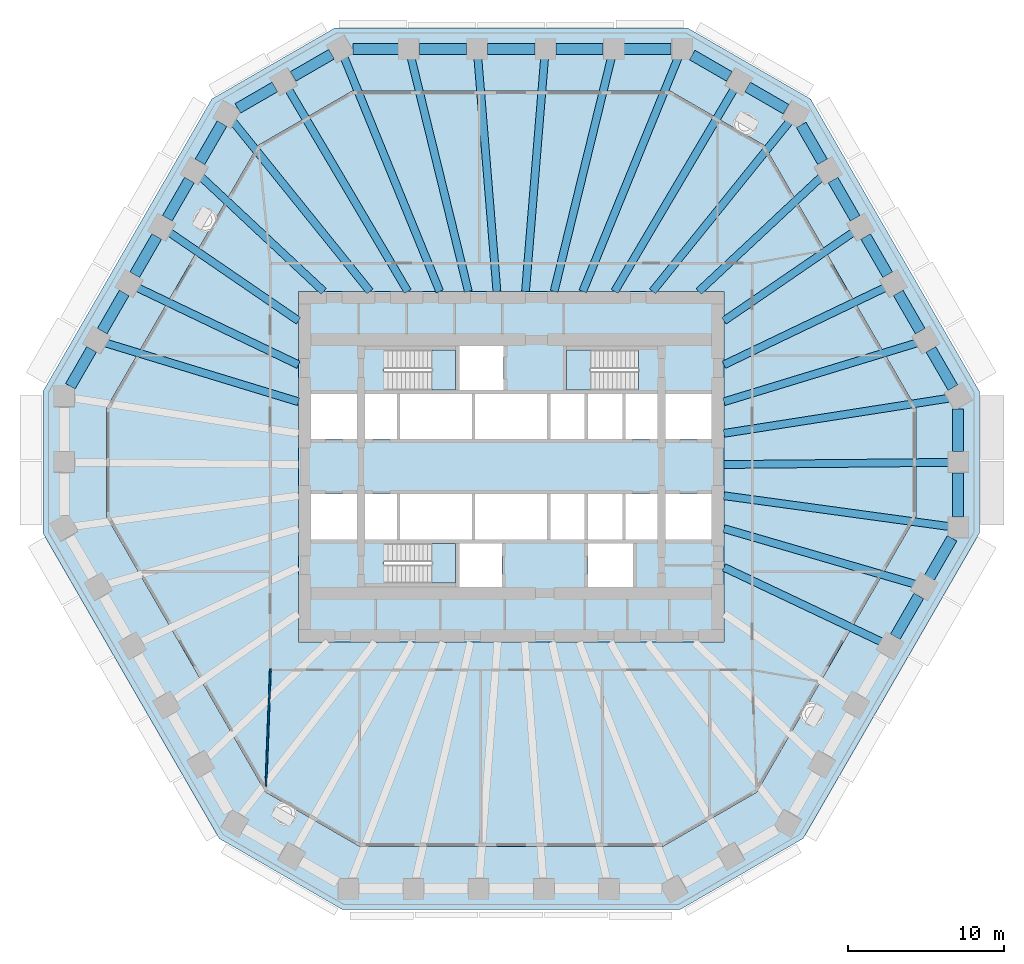
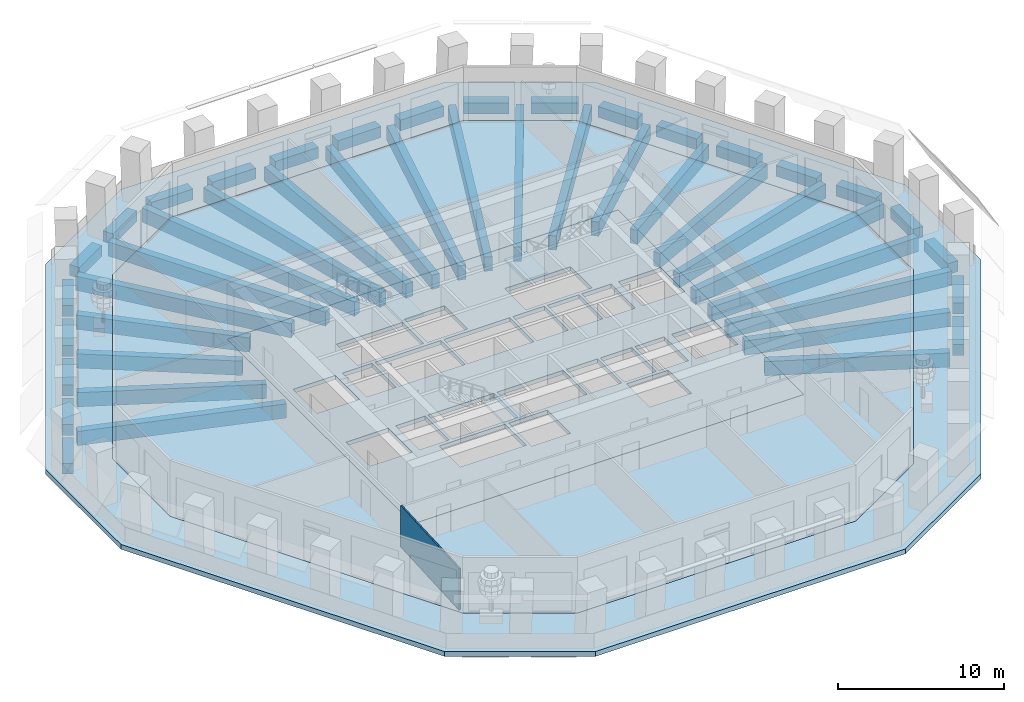
# One storey, part 2 of 12: 46 beams, 6 slabs, 1 wall, 3 elements without a shape of their own.
"""IFC4 building model written with IfcOpenShell, lengths in metres."""

import ifcopenshell
import ifcopenshell.guid

model = None  # the IFC model being written
_history = None  # IfcOwnerHistory: only IFC2X3 demands one
_inside = {}  # id of a spatial element -> (the spatial element, [elements in it])
_under = {}  # id of a project, library or spatial element -> (it, [spatial elements below it])
_declared = {}  # id of a project -> (the project, [libraries it declares])
_typed = {}  # id of a type object -> (the type object, [elements of that type])
_made_of = {}  # id of a material, layer set ... -> (it, [elements and type objects made of it])


def new_model(schema):
    """Start an empty IFC model of exactly this schema.

    Asked for "IFC4X3", IfcOpenShell would pick the latest addendum, in which some entities
    have other attributes; the version numbers below select the first issue.
    IFC2X3 requires an IfcOwnerHistory on every rooted entity: one is made here for all.
    """
    global model, _history
    if schema == "IFC4X3":
        model = ifcopenshell.file(schema_version=(4, 3, 0, 0))
    else:
        model = ifcopenshell.file(schema=schema)
    _inside.clear()
    _under.clear()
    _declared.clear()
    _typed.clear()
    _made_of.clear()
    _history = None
    if model.schema == "IFC2X3":
        org = make("IfcOrganization", Name="unknown")
        user = make(
            "IfcPersonAndOrganization",
            ThePerson=make("IfcPerson", FamilyName="unknown"),
            TheOrganization=org,
        )
        app = make(
            "IfcApplication",
            ApplicationDeveloper=org,
            Version="unknown",
            ApplicationFullName="unknown",
            ApplicationIdentifier="unknown",
        )
        _history = make(
            "IfcOwnerHistory",
            OwningUser=user,
            OwningApplication=app,
            ChangeAction="ADDED",
            CreationDate=0,
        )
    return model


def make(cls, **values):
    """One entity of the class cls with the attributes given. An attribute that is None is left unset."""
    return model.create_entity(
        cls, **{name: value for name, value in values.items() if value is not None}
    )


def rooted(cls, **values):
    """An entity with a GlobalId (a new one), such as an element, a storey or a relation."""
    return make(cls, GlobalId=ifcopenshell.guid.new(), OwnerHistory=_history, **values)


def si_unit(unit_type, name, prefix=None):
    """IfcSIUnit, for example si_unit("LENGTHUNIT", "METRE", prefix="MILLI")."""
    return make("IfcSIUnit", UnitType=unit_type, Prefix=prefix, Name=name)


def assignment(units):
    """IfcUnitAssignment: the units of a project."""
    return None if units is None else make("IfcUnitAssignment", Units=units)


def point(xyz):
    """IfcCartesianPoint."""
    return None if xyz is None else make("IfcCartesianPoint", Coordinates=xyz)


def direction(xyz):
    """IfcDirection."""
    return None if xyz is None else make("IfcDirection", DirectionRatios=xyz)


def frame(location, z_axis=None, x_axis=None):
    """IfcAxis2Placement3D, a coordinate frame: its origin and axes. An axis left out is left unset."""
    return make(
        "IfcAxis2Placement3D",
        Location=point(location),
        Axis=direction(z_axis),
        RefDirection=direction(x_axis),
    )


def frame_2d(location, x_axis=None):
    """IfcAxis2Placement2D, a coordinate frame in the plane: its origin and x axis."""
    return make(
        "IfcAxis2Placement2D", Location=point(location), RefDirection=direction(x_axis)
    )


def origin():
    """The frame at (0, 0, 0) with its axes left unset."""
    return frame((0.0, 0.0, 0.0))


def origin_2d():
    """The frame at (0, 0) in the plane with its x axis left unset."""
    return frame_2d((0.0, 0.0))


def place(relative_to, where):
    """IfcLocalPlacement: puts the frame where relative to a parent placement (None: the world)."""
    return make(
        "IfcLocalPlacement", PlacementRelTo=relative_to, RelativePlacement=where
    )


def context(
    kind, dimensions, precision=None, world=None, true_north=None, identifier=None
):
    """IfcGeometricRepresentationContext, for example the 3D "Model" context."""
    return make(
        "IfcGeometricRepresentationContext",
        ContextIdentifier=identifier,
        ContextType=kind,
        CoordinateSpaceDimension=dimensions,
        Precision=precision,
        WorldCoordinateSystem=world,
        TrueNorth=true_north,
    )


def subcontext(parent, identifier, kind, view, scale=None):
    """IfcGeometricRepresentationSubContext, for example "Body" below "Model"."""
    return make(
        "IfcGeometricRepresentationSubContext",
        ContextIdentifier=identifier,
        ContextType=kind,
        ParentContext=parent,
        TargetScale=scale,
        TargetView=view,
    )


def project(units=None, contexts=None):
    """IfcProject with its units and contexts."""
    return rooted(
        "IfcProject",
        Name="project",
        RepresentationContexts=contexts,
        UnitsInContext=assignment(units),
    )


def spatial(cls, under=None, at=None, **own):
    """A site, building, storey or space (cls), placed at a placement, below another one or the project."""
    s = rooted(cls, ObjectPlacement=at, **own)
    if under is not None:
        _under.setdefault(under.id(), (under, []))[1].append(s)
    return s


def polyline(points):
    """IfcPolyline through the points."""
    return make("IfcPolyline", Points=[point(p) for p in points])


def profile(cls, at=None, kind="AREA", **sizes):
    """A parametric profile (cls). Its sizes go by their IFC names, for example OverallWidth=200.0."""
    return make(cls, ProfileType=kind, Position=at, **sizes)


def rectangle(**sizes):
    """IfcRectangleProfileDef."""
    return profile("IfcRectangleProfileDef", **sizes)


def outline(outer, holes=None, kind="AREA"):
    """IfcArbitraryClosedProfileDef: a profile drawn as a closed curve; with holes, ...WithVoids."""
    if holes is None:
        return make("IfcArbitraryClosedProfileDef", ProfileType=kind, OuterCurve=outer)
    return make(
        "IfcArbitraryProfileDefWithVoids",
        ProfileType=kind,
        OuterCurve=outer,
        InnerCurves=holes,
    )


def extrude(swept, where, along, depth):
    """IfcExtrudedAreaSolid: the profile swept, set in the frame where, extruded along a direction by depth."""
    return make(
        "IfcExtrudedAreaSolid",
        SweptArea=swept,
        Position=where,
        ExtrudedDirection=direction(along),
        Depth=depth,
    )


def shape(context_of_items, identifier, shape_type, items):
    """IfcShapeRepresentation: the items that make up one representation, for example the "Body"."""
    return make(
        "IfcShapeRepresentation",
        ContextOfItems=context_of_items,
        RepresentationIdentifier=identifier,
        RepresentationType=shape_type,
        Items=items,
    )


def material(Name=None, Category=None):
    """IfcMaterial."""
    return make("IfcMaterial", Name=Name, Category=Category)


def layer(
    of_material, thickness, ventilated=None, Name=None, Category=None, Priority=None
):
    """IfcMaterialLayer: one layer of a wall or slab, of a material (None: an air gap)."""
    return make(
        "IfcMaterialLayer",
        Material=of_material,
        LayerThickness=thickness,
        IsVentilated=ventilated,
        Name=Name,
        Category=Category,
        Priority=Priority,
    )


def layer_set(layers, Name=None):
    """IfcMaterialLayerSet."""
    return make("IfcMaterialLayerSet", MaterialLayers=layers, LayerSetName=Name)


def material_profile(
    of_material, cross_section, Name=None, Category=None, Priority=None
):
    """IfcMaterialProfile: a cross section and its material."""
    return make(
        "IfcMaterialProfile",
        Name=Name,
        Material=of_material,
        Profile=cross_section,
        Priority=Priority,
        Category=Category,
    )


def profile_set(profiles, Name=None, composite=None):
    """IfcMaterialProfileSet."""
    return make(
        "IfcMaterialProfileSet",
        Name=Name,
        MaterialProfiles=profiles,
        CompositeProfile=composite,
    )


def made_of(thing, what):
    """Note that an element or type object is made of a material, layer set ...; save() writes the relation."""
    if what is not None:
        _made_of.setdefault(what.id(), (what, []))[1].append(thing)
    return thing


def type_object(cls, material=None, **own):
    """A type object (cls), such as IfcWallType, which elements share."""
    return made_of(rooted(cls, **own), material)


def element(
    cls,
    number,
    at=None,
    inside=None,
    cuts=None,
    type_object=None,
    material=None,
    context=None,
    identifier="Body",
    shape_type=None,
    held_by="IfcProductDefinitionShape",
    body=None,
    shapes=None,
    **own,
):
    """One element of the class cls, such as IfcWall. Its Tag is "e" and its number.

    at: its placement. inside: the storey or other place that contains it. cuts: it is an
    opening in that element (IfcRelVoidsElement). A single representation is given by context,
    identifier, shape_type and body (its items); several are given by shapes. held_by: the class
    of the entity that holds the representations. save() writes the other relations.
    """
    e = rooted(cls, Tag="e%d" % number, ObjectPlacement=at, **own)
    if body is not None:
        shapes = [shape(context, identifier, shape_type, body)]
    if shapes is not None:
        e.Representation = make(held_by, Representations=shapes)
    if inside is not None:
        _inside.setdefault(inside.id(), (inside, []))[1].append(e)
    if cuts is not None:
        rooted(
            "IfcRelVoidsElement", RelatingBuildingElement=cuts, RelatedOpeningElement=e
        )
    if type_object is not None:
        _typed.setdefault(type_object.id(), (type_object, []))[1].append(e)
    return made_of(e, material)


def aggregate(whole, parts):
    """IfcRelAggregates: a whole, such as a stair, and the parts it consists of."""
    return rooted("IfcRelAggregates", RelatingObject=whole, RelatedObjects=parts)


def save(model, path):
    """Write the relations noted so far, then the file.

    IfcRelAggregates (storeys below a building ...), IfcRelContainedInSpatialStructure (elements
    in a storey), IfcRelDefinesByType, IfcRelAssociatesMaterial and IfcRelDeclares: one each for
    every whole, place, type object, material and project.
    """
    for whole, parts in _under.values():
        aggregate(whole, parts)
    for where, things in _inside.values():
        rooted(
            "IfcRelContainedInSpatialStructure",
            RelatedElements=things,
            RelatingStructure=where,
        )
    for kind, things in _typed.values():
        rooted("IfcRelDefinesByType", RelatedObjects=things, RelatingType=kind)
    for what, things in _made_of.values():
        rooted("IfcRelAssociatesMaterial", RelatedObjects=things, RelatingMaterial=what)
    for by, libraries in _declared.values():
        rooted("IfcRelDeclares", RelatingContext=by, RelatedDefinitions=libraries)
    model.write(path)


model = new_model("IFC4")

# Units and contexts
model_context = context("Model", 3, precision=1e-05, world=origin(), true_north=direction((0.0, 1.0)))
body_context = subcontext(model_context, "Body", "Model", "MODEL_VIEW")
ifc_project = project(units=[si_unit("LENGTHUNIT", "METRE"), si_unit("AREAUNIT", "SQUARE_METRE"), si_unit("VOLUMEUNIT", "CUBIC_METRE"), si_unit("PLANEANGLEUNIT", "RADIAN"), si_unit("MASSUNIT", "GRAM", prefix="KILO")], contexts=[model_context])

# Site, building, storey
site_placement = place(None, origin())
site = spatial("IfcSite", under=ifc_project, at=site_placement, CompositionType="ELEMENT")
building_placement = place(site_placement, origin())
building = spatial("IfcBuilding", under=site, at=building_placement, Name="Frailejon Research Tower", CompositionType="ELEMENT")
storey_placement = place(building_placement, frame((0.0, 0.0, 89.60009765625)))
storey = spatial("IfcBuildingStorey", under=building, at=storey_placement, Name="L19", CompositionType="ELEMENT", Elevation=89.60009765625)

# Beams
ifc_material_1 = material(Name="Concrete C60/75", Category="concrete")
ifc_material_profile_1 = material_profile(ifc_material_1, rectangle(XDim=0.5, YDim=1.050048828125, at=origin_2d()), Name="Girder 500x1050")
ifc_profile_set_1 = profile_set([ifc_material_profile_1], Name="Concrete C60/75")
beam_type_1 = type_object("IfcBeamType", Name="Girder 500x1050", PredefinedType="BEAM", material=ifc_profile_set_1)
beam_1_placement = place(storey_placement, frame((28.046142578125, -3.8388671875, -0.8251953125), z_axis=(-0.990762286084, 0.135610075121, 0.0), x_axis=(-0.135610075121, -0.990762286084, 0.0)))
element("IfcBeam", 1, at=beam_1_placement, inside=storey, type_object=beam_type_1, Name="Girder 500x1050", PredefinedType="BEAM", context=body_context, shape_type="SweptSolid", body=[
    extrude(rectangle(XDim=0.5, YDim=1.050048828125, at=origin_2d()), origin(), (0.0, 0.0, 1.0), 14.580810546875),
])
beam_2_placement = place(storey_placement, frame((28.047607421875, 0.271484375, -0.8251953125), z_axis=(-0.999953124834, -0.009682362075, 0.0), x_axis=(0.009682362075, -0.999953124834, 0.0)))
element("IfcBeam", 2, at=beam_2_placement, inside=storey, type_object=beam_type_1, Name="Girder 500x1050", PredefinedType="BEAM", context=body_context, shape_type="SweptSolid", body=[
    extrude(rectangle(XDim=0.5, YDim=1.050048828125, at=origin_2d()), origin(), (0.0, 0.0, 1.0), 14.4482421875),
])
beam_3_placement = place(storey_placement, frame((28.005859375, 4.37548828125, -0.8251953125), z_axis=(-0.988013789524, -0.154365642911, 0.0), x_axis=(0.154365642911, -0.988013789524, 0.0)))
element("IfcBeam", 3, at=beam_3_placement, inside=storey, type_object=beam_type_1, Name="Girder 500x1050", PredefinedType="BEAM", context=body_context, shape_type="SweptSolid", body=[
    extrude(rectangle(XDim=0.5, YDim=1.050048828125, at=origin_2d()), origin(), (0.0, 0.0, 1.0), 14.58056640625),
])
beam_4_placement = place(storey_placement, frame((25.968994140625, 7.91552734375, -0.8251953125), z_axis=(-0.956548487284, -0.291573303775, 0.0), x_axis=(0.291573303775, -0.956548487284, 0.0)))
element("IfcBeam", 4, at=beam_4_placement, inside=storey, type_object=beam_type_1, Name="Girder 500x1050", PredefinedType="BEAM", context=body_context, shape_type="SweptSolid", body=[
    extrude(rectangle(XDim=0.5, YDim=1.050048828125, at=origin_2d()), origin(), (0.0, 0.0, 1.0), 12.9306640625),
])
beam_5_placement = place(storey_placement, frame((23.92919921875, 11.455810546875, -0.8251953125), z_axis=(-0.90197036, -0.431797950067, 0.0), x_axis=(0.431797950067, -0.90197036, 0.0)))
element("IfcBeam", 5, at=beam_5_placement, inside=storey, type_object=beam_type_1, Name="Girder 500x1050", PredefinedType="BEAM", context=body_context, shape_type="SweptSolid", body=[
    extrude(rectangle(XDim=0.5, YDim=1.050048828125, at=origin_2d()), origin(), (0.0, 0.0, 1.0), 11.45166015625),
])
beam_6_placement = place(storey_placement, frame((21.885498046875, 14.9951171875, -0.8251953125), z_axis=(-0.824933841565, -0.565229295987, 0.0), x_axis=(0.565229295987, -0.824933841565, 0.0)))
element("IfcBeam", 6, at=beam_6_placement, inside=storey, type_object=beam_type_1, Name="Girder 500x1050", PredefinedType="BEAM", context=body_context, shape_type="SweptSolid", body=[
    extrude(rectangle(XDim=0.5, YDim=1.050048828125, at=origin_2d()), origin(), (0.0, 0.0, 1.0), 10.043701171875),
])
beam_7_placement = place(storey_placement, frame((19.839599609375, 18.5322265625, -0.8251953125), z_axis=(-0.730777818746, -0.682615396566, 0.0), x_axis=(0.682615396566, -0.730777818746, 0.0)))
element("IfcBeam", 7, at=beam_7_placement, inside=storey, type_object=beam_type_1, Name="Girder 500x1050", PredefinedType="BEAM", context=body_context, shape_type="SweptSolid", body=[
    extrude(rectangle(XDim=0.5, YDim=1.050048828125, at=origin_2d()), origin(), (0.0, 0.0, 1.0), 10.741455078125),
])
beam_8_placement = place(storey_placement, frame((17.817626953125, 22.097412109375, -0.8251953125), z_axis=(-0.627691430438, -0.778462245812, 0.0), x_axis=(0.778462245812, -0.627691430438, 0.0)))
element("IfcBeam", 8, at=beam_8_placement, inside=storey, type_object=beam_type_1, Name="Girder 500x1050", PredefinedType="BEAM", context=body_context, shape_type="SweptSolid", body=[
    extrude(rectangle(XDim=0.5, YDim=1.050048828125, at=origin_2d()), origin(), (0.0, 0.0, 1.0), 13.998779296875),
])
beam_9_placement = place(storey_placement, frame((14.2587890625, 24.154052734375, -0.8251953125), z_axis=(-0.508348695563, -0.861151324518, 0.0), x_axis=(0.861151324518, -0.508348695563, 0.0)))
element("IfcBeam", 9, at=beam_9_placement, inside=storey, type_object=beam_type_1, Name="Girder 500x1050", PredefinedType="BEAM", context=body_context, shape_type="SweptSolid", body=[
    extrude(rectangle(XDim=0.5, YDim=1.050048828125, at=origin_2d()), origin(), (0.0, 0.0, 1.0), 15.042724609375),
])
beam_10_placement = place(storey_placement, frame((10.680419921875, 26.163818359375, -0.8251953125), z_axis=(-0.377933991837, -0.925832543073, 0.0), x_axis=(0.925832543073, -0.377933991837, 0.0)))
element("IfcBeam", 10, at=beam_10_placement, inside=storey, type_object=beam_type_1, Name="Girder 500x1050", PredefinedType="BEAM", context=body_context, shape_type="SweptSolid", body=[
    extrude(rectangle(XDim=0.5, YDim=1.050048828125, at=origin_2d()), origin(), (0.0, 0.0, 1.0), 16.16259765625),
])
beam_11_placement = place(storey_placement, frame((6.409912109375, 26.170654296875, -0.8251953125), z_axis=(-0.237896481436, -0.97129051479, 0.0), x_axis=(0.97129051479, -0.237896481436, 0.0)))
element("IfcBeam", 11, at=beam_11_placement, inside=storey, type_object=beam_type_1, Name="Girder 500x1050", PredefinedType="BEAM", context=body_context, shape_type="SweptSolid", body=[
    extrude(rectangle(XDim=0.5, YDim=1.050048828125, at=origin_2d()), origin(), (0.0, 0.0, 1.0), 15.413330078125),
])
for number, where, z_axis, x_axis, name in (
    (12, (2.136962890625, 26.174560546875, -0.8251953125), (-0.081377822013, -0.996683324875, 0.0), (0.996683324875, -0.081377822013, 0.0), "Girder 500x1050"),
    (13, (-2.136962890625, 26.174560546875, -0.8251953125), (0.081377822013, -0.996683324875, 0.0), (0.996683324875, 0.081377822013, 0.0), "Girder 500x1050"),
):
    element("IfcBeam", number, at=place(storey_placement, frame(where, z_axis=z_axis, x_axis=x_axis)), inside=storey, type_object=beam_type_1, Name=name, PredefinedType="BEAM", context=body_context, shape_type="SweptSolid", body=[
        extrude(rectangle(XDim=0.5, YDim=1.050048828125, at=origin_2d()), origin(), (0.0, 0.0, 1.0), 15.0244140625),
    ])
beam_12_placement = place(storey_placement, frame((-6.409912109375, 26.170654296875, -0.8251953125), z_axis=(0.237896481436, -0.97129051479, 0.0), x_axis=(0.97129051479, 0.237896481436, 0.0)))
element("IfcBeam", 14, at=beam_12_placement, inside=storey, type_object=beam_type_1, Name="Girder 500x1050", PredefinedType="BEAM", context=body_context, shape_type="SweptSolid", body=[
    extrude(rectangle(XDim=0.5, YDim=1.050048828125, at=origin_2d()), origin(), (0.0, 0.0, 1.0), 15.413330078125),
])
beam_13_placement = place(storey_placement, frame((-10.698486328125, 26.2080078125, -0.8251953125), z_axis=(0.377935463681, -0.925831942251, 0.0), x_axis=(0.925831942251, 0.377935463681, 0.0)))
element("IfcBeam", 15, at=beam_13_placement, inside=storey, type_object=beam_type_1, Name="Girder 500x1050", PredefinedType="BEAM", context=body_context, shape_type="SweptSolid", body=[
    extrude(rectangle(XDim=0.5, YDim=1.050048828125, at=origin_2d()), origin(), (0.0, 0.0, 1.0), 16.21044921875),
])
beam_14_placement = place(storey_placement, frame((-14.2587890625, 24.154052734375, -0.8251953125), z_axis=(0.508348695563, -0.861151324518, 0.0), x_axis=(0.861151324518, 0.508348695563, 0.0)))
element("IfcBeam", 16, at=beam_14_placement, inside=storey, type_object=beam_type_1, Name="Girder 500x1050", PredefinedType="BEAM", context=body_context, shape_type="SweptSolid", body=[
    extrude(rectangle(XDim=0.5, YDim=1.050048828125, at=origin_2d()), origin(), (0.0, 0.0, 1.0), 15.042724609375),
])
beam_15_placement = place(storey_placement, frame((-17.792236328125, 22.06591796875, -0.8251953125), z_axis=(0.627691595476, -0.778462112738, 0.0), x_axis=(0.778462112738, 0.627691595476, 0.0)))
element("IfcBeam", 17, at=beam_15_placement, inside=storey, type_object=beam_type_1, Name="Girder 500x1050", PredefinedType="BEAM", context=body_context, shape_type="SweptSolid", body=[
    extrude(rectangle(XDim=0.5, YDim=1.050048828125, at=origin_2d()), origin(), (0.0, 0.0, 1.0), 13.958251953125),
])
beam_16_placement = place(storey_placement, frame((-19.839599609375, 18.5322265625, -0.8251953125), z_axis=(0.730777818746, -0.682615396566, 0.0), x_axis=(0.682615396566, 0.730777818746, 0.0)))
element("IfcBeam", 18, at=beam_16_placement, inside=storey, type_object=beam_type_1, Name="Girder 500x1050", PredefinedType="BEAM", context=body_context, shape_type="SweptSolid", body=[
    extrude(rectangle(XDim=0.5, YDim=1.050048828125, at=origin_2d()), origin(), (0.0, 0.0, 1.0), 10.741455078125),
])
beam_17_placement = place(storey_placement, frame((-21.885498046875, 14.9951171875, -0.8251953125), z_axis=(0.824933841565, -0.565229295987, 0.0), x_axis=(0.565229295987, 0.824933841565, 0.0)))
element("IfcBeam", 19, at=beam_17_placement, inside=storey, type_object=beam_type_1, Name="Girder 500x1050", PredefinedType="BEAM", context=body_context, shape_type="SweptSolid", body=[
    extrude(rectangle(XDim=0.5, YDim=1.050048828125, at=origin_2d()), origin(), (0.0, 0.0, 1.0), 10.043701171875),
])
beam_18_placement = place(storey_placement, frame((-23.92919921875, 11.455810546875, -0.8251953125), z_axis=(0.90197036, -0.431797950067, 0.0), x_axis=(0.431797950067, 0.90197036, 0.0)))
element("IfcBeam", 20, at=beam_18_placement, inside=storey, type_object=beam_type_1, Name="Girder 500x1050", PredefinedType="BEAM", context=body_context, shape_type="SweptSolid", body=[
    extrude(rectangle(XDim=0.5, YDim=1.050048828125, at=origin_2d()), origin(), (0.0, 0.0, 1.0), 11.45166015625),
])
beam_19_placement = place(storey_placement, frame((-25.968994140625, 7.91552734375, -0.8251953125), z_axis=(0.956548487284, -0.291573303775, 0.0), x_axis=(0.291573303775, 0.956548487284, 0.0)))
element("IfcBeam", 21, at=beam_19_placement, inside=storey, type_object=beam_type_1, Name="Girder 500x1050", PredefinedType="BEAM", context=body_context, shape_type="SweptSolid", body=[
    extrude(rectangle(XDim=0.5, YDim=1.050048828125, at=origin_2d()), origin(), (0.0, 0.0, 1.0), 12.9306640625),
])
beam_20_placement = place(storey_placement, frame((23.736328125, -11.236572265625, -0.8251953125), z_axis=(-0.903842425603, 0.427865480823, 0.0), x_axis=(-0.427865480823, -0.903842425603, 0.0)))
element("IfcBeam", 22, at=beam_20_placement, inside=storey, type_object=beam_type_1, Name="Girder 500x1050", PredefinedType="BEAM", context=body_context, shape_type="SweptSolid", body=[
    extrude(rectangle(XDim=0.5, YDim=1.050048828125, at=origin_2d()), origin(), (0.0, 0.0, 1.0), 11.214599609375),
])
beam_21_placement = place(storey_placement, frame((25.869384765625, -7.5341796875, -0.8251953125), z_axis=(-0.960111404203, 0.279617759664, 0.0), x_axis=(-0.279617759664, -0.960111404203, 0.0)))
element("IfcBeam", 23, at=beam_21_placement, inside=storey, type_object=beam_type_1, Name="Girder 500x1050", PredefinedType="BEAM", context=body_context, shape_type="SweptSolid", body=[
    extrude(rectangle(XDim=0.5, YDim=1.050048828125, at=origin_2d()), origin(), (0.0, 0.0, 1.0), 12.779052734375),
])
ifc_material_2 = material(Name="Concrete C60/75", Category="concrete")
ifc_material_profile_2 = material_profile(ifc_material_2, rectangle(XDim=0.699951171875, YDim=0.800048828125, at=origin_2d()), Name="Spandrel 700x800")
ifc_profile_set_2 = profile_set([ifc_material_profile_2], Name="Concrete C60/75")
beam_type_2 = type_object("IfcBeamType", Name="Spandrel 700x800", PredefinedType="BEAM", material=ifc_profile_set_2)
beam_22_placement = place(storey_placement, frame((28.572509765625, -3.236083984375, -0.75), z_axis=(0.0, 1.0, 0.0), x_axis=(-1.0, 0.0, 0.0)))
element("IfcBeam", 24, at=beam_22_placement, inside=storey, type_object=beam_type_2, Name="Spandrel 700x800", PredefinedType="BEAM", context=body_context, shape_type="SweptSolid", body=[
    extrude(rectangle(XDim=0.699951171875, YDim=0.800048828125, at=origin_2d()), origin(), (0.0, 0.0, 1.0), 2.837646484375),
])
beam_23_placement = place(storey_placement, frame((28.572509765625, 0.95166015625, -0.75), z_axis=(0.0, 1.0, 0.0), x_axis=(-1.0, 0.0, 0.0)))
element("IfcBeam", 25, at=beam_23_placement, inside=storey, type_object=beam_type_2, Name="Spandrel 700x800", PredefinedType="BEAM", context=body_context, shape_type="SweptSolid", body=[
    extrude(rectangle(XDim=0.699951171875, YDim=0.800048828125, at=origin_2d()), origin(), (0.0, 0.0, 1.0), 2.733154296875),
])
beam_24_placement = place(storey_placement, frame((28.235107421875, 5.048583984375, -0.75), z_axis=(-0.500014901547, 0.866016800201, 0.0), x_axis=(-0.866016800201, -0.500014901547, 0.0)))
element("IfcBeam", 26, at=beam_24_placement, inside=storey, type_object=beam_type_2, Name="Spandrel 700x800", PredefinedType="BEAM", context=body_context, shape_type="SweptSolid", body=[
    extrude(rectangle(XDim=0.699951171875, YDim=0.800048828125, at=origin_2d()), origin(), (0.0, 0.0, 1.0), 2.818359375),
])
for number, where, z_axis, x_axis, name in (
    (27, (26.15087890625, 8.658447265625, -0.75), (-0.499987440211, 0.86603265506, 0.0), (-0.86603265506, -0.499987440211, 0.0), "Spandrel 700x800"),
    (28, (24.06689453125, 12.26806640625, -0.75), (-0.499987440211, 0.86603265506, 0.0), (-0.86603265506, -0.499987440211, 0.0), "Spandrel 700x800"),
):
    element("IfcBeam", number, at=place(storey_placement, frame(where, z_axis=z_axis, x_axis=x_axis)), inside=storey, type_object=beam_type_2, Name=name, PredefinedType="BEAM", context=body_context, shape_type="SweptSolid", body=[
        extrude(rectangle(XDim=0.699951171875, YDim=0.800048828125, at=origin_2d()), origin(), (0.0, 0.0, 1.0), 2.81787109375),
    ])
beam_25_placement = place(storey_placement, frame((21.98291015625, 15.877685546875, -0.75), z_axis=(-0.500052415518, 0.865995139556, 0.0), x_axis=(-0.865995139556, -0.500052415518, 0.0)))
element("IfcBeam", 29, at=beam_25_placement, inside=storey, type_object=beam_type_2, Name="Spandrel 700x800", PredefinedType="BEAM", context=body_context, shape_type="SweptSolid", body=[
    extrude(rectangle(XDim=0.699951171875, YDim=0.800048828125, at=origin_2d()), origin(), (0.0, 0.0, 1.0), 2.818115234375),
])
beam_26_placement = place(storey_placement, frame((19.898681640625, 19.4873046875, -0.75), z_axis=(-0.499961288406, 0.86604775278, 0.0), x_axis=(-0.86604775278, -0.499961288406, 0.0)))
element("IfcBeam", 30, at=beam_26_placement, inside=storey, type_object=beam_type_2, Name="Spandrel 700x800", PredefinedType="BEAM", context=body_context, shape_type="SweptSolid", body=[
    extrude(rectangle(XDim=0.699951171875, YDim=0.800048828125, at=origin_2d()), origin(), (0.0, 0.0, 1.0), 2.713623046875),
])
beam_27_placement = place(storey_placement, frame((17.567626953125, 22.849853515625, -0.75), z_axis=(-0.865989280058, 0.500062562911, 0.0), x_axis=(-0.500062562911, -0.865989280058, 0.0)))
element("IfcBeam", 31, at=beam_27_placement, inside=storey, type_object=beam_type_2, Name="Spandrel 700x800", PredefinedType="BEAM", context=body_context, shape_type="SweptSolid", body=[
    extrude(rectangle(XDim=0.699951171875, YDim=0.800048828125, at=origin_2d()), origin(), (0.0, 0.0, 1.0), 2.837646484375),
])
beam_28_placement = place(storey_placement, frame((13.941162109375, 24.943603515625, -0.75), z_axis=(-0.866002615699, 0.500039468044, 0.0), x_axis=(-0.500039468044, -0.866002615699, 0.0)))
element("IfcBeam", 32, at=beam_28_placement, inside=storey, type_object=beam_type_2, Name="Spandrel 700x800", PredefinedType="BEAM", context=body_context, shape_type="SweptSolid", body=[
    extrude(rectangle(XDim=0.699951171875, YDim=0.800048828125, at=origin_2d()), origin(), (0.0, 0.0, 1.0), 2.733154296875),
])
beam_29_placement = place(storey_placement, frame((10.22412109375, 26.699951171875, -0.75), z_axis=(-1.0, 0.0, 0.0), x_axis=(0.0, -1.0, 0.0)))
element("IfcBeam", 33, at=beam_29_placement, inside=storey, type_object=beam_type_2, Name="Spandrel 700x800", PredefinedType="BEAM", context=body_context, shape_type="SweptSolid", body=[
    extrude(rectangle(XDim=0.699951171875, YDim=0.800048828125, at=origin_2d()), origin(), (0.0, 0.0, 1.0), 3.009521484375),
])
for number, where, z_axis, x_axis, name in (
    (34, (5.864501953125, 26.699951171875, -0.75), (-1.0, 0.0, 0.0), (0.0, -1.0, 0.0), "Spandrel 700x800"),
    (35, (1.5048828125, 26.699951171875, -0.75), (-1.0, 0.0, 0.0), (0.0, -1.0, 0.0), "Spandrel 700x800"),
    (36, (-2.854736328125, 26.699951171875, -0.75), (-1.0, 0.0, 0.0), (0.0, -1.0, 0.0), "Spandrel 700x800"),
):
    element("IfcBeam", number, at=place(storey_placement, frame(where, z_axis=z_axis, x_axis=x_axis)), inside=storey, type_object=beam_type_2, Name=name, PredefinedType="BEAM", context=body_context, shape_type="SweptSolid", body=[
        extrude(rectangle(XDim=0.699951171875, YDim=0.800048828125, at=origin_2d()), origin(), (0.0, 0.0, 1.0), 3.009765625),
    ])
beam_30_placement = place(storey_placement, frame((-7.214599609375, 26.699951171875, -0.75), z_axis=(-1.0, 0.0, 0.0), x_axis=(0.0, -1.0, 0.0)))
element("IfcBeam", 37, at=beam_30_placement, inside=storey, type_object=beam_type_2, Name="Spandrel 700x800", PredefinedType="BEAM", context=body_context, shape_type="SweptSolid", body=[
    extrude(rectangle(XDim=0.699951171875, YDim=0.800048828125, at=origin_2d()), origin(), (0.0, 0.0, 1.0), 2.9052734375),
])
beam_31_placement = place(storey_placement, frame((-11.48388671875, 26.362548828125, -0.75), z_axis=(-0.865989280058, -0.500062562911, 0.0), x_axis=(0.500062562911, -0.865989280058, 0.0)))
element("IfcBeam", 38, at=beam_31_placement, inside=storey, type_object=beam_type_2, Name="Spandrel 700x800", PredefinedType="BEAM", context=body_context, shape_type="SweptSolid", body=[
    extrude(rectangle(XDim=0.699951171875, YDim=0.800048828125, at=origin_2d()), origin(), (0.0, 0.0, 1.0), 2.837646484375),
])
beam_32_placement = place(storey_placement, frame((-15.1103515625, 24.268798828125, -0.75), z_axis=(-0.866002615699, -0.500039468044, 0.0), x_axis=(0.500039468044, -0.866002615699, 0.0)))
element("IfcBeam", 39, at=beam_32_placement, inside=storey, type_object=beam_type_2, Name="Spandrel 700x800", PredefinedType="BEAM", context=body_context, shape_type="SweptSolid", body=[
    extrude(rectangle(XDim=0.699951171875, YDim=0.800048828125, at=origin_2d()), origin(), (0.0, 0.0, 1.0), 2.733154296875),
])
beam_33_placement = place(storey_placement, frame((-18.48974609375, 21.927734375, -0.75), z_axis=(-0.499987440211, -0.86603265506, 0.0), x_axis=(0.86603265506, -0.499987440211, 0.0)))
element("IfcBeam", 40, at=beam_33_placement, inside=storey, type_object=beam_type_2, Name="Spandrel 700x800", PredefinedType="BEAM", context=body_context, shape_type="SweptSolid", body=[
    extrude(rectangle(XDim=0.699951171875, YDim=0.800048828125, at=origin_2d()), origin(), (0.0, 0.0, 1.0), 2.81787109375),
])
beam_34_placement = place(storey_placement, frame((-20.57373046875, 18.318115234375, -0.75), z_axis=(-0.500052415518, -0.865995139556, 0.0), x_axis=(0.865995139556, -0.500052415518, 0.0)))
element("IfcBeam", 41, at=beam_34_placement, inside=storey, type_object=beam_type_2, Name="Spandrel 700x800", PredefinedType="BEAM", context=body_context, shape_type="SweptSolid", body=[
    extrude(rectangle(XDim=0.699951171875, YDim=0.800048828125, at=origin_2d()), origin(), (0.0, 0.0, 1.0), 2.818115234375),
])
for number, where, z_axis, x_axis, name in (
    (42, (-22.657958984375, 14.70849609375, -0.75), (-0.499987440211, -0.86603265506, 0.0), (0.86603265506, -0.499987440211, 0.0), "Spandrel 700x800"),
    (43, (-24.741943359375, 11.098876953125, -0.75), (-0.499987440211, -0.86603265506, 0.0), (0.86603265506, -0.499987440211, 0.0), "Spandrel 700x800"),
):
    element("IfcBeam", number, at=place(storey_placement, frame(where, z_axis=z_axis, x_axis=x_axis)), inside=storey, type_object=beam_type_2, Name=name, PredefinedType="BEAM", context=body_context, shape_type="SweptSolid", body=[
        extrude(rectangle(XDim=0.699951171875, YDim=0.800048828125, at=origin_2d()), origin(), (0.0, 0.0, 1.0), 2.81787109375),
    ])
beam_35_placement = place(storey_placement, frame((-26.825927734375, 7.4892578125, -0.75), z_axis=(-0.500028764566, -0.866008795918, 0.0), x_axis=(0.866008795918, -0.500028764566, 0.0)))
element("IfcBeam", 44, at=beam_35_placement, inside=storey, type_object=beam_type_2, Name="Spandrel 700x800", PredefinedType="BEAM", context=body_context, shape_type="SweptSolid", body=[
    extrude(rectangle(XDim=0.699951171875, YDim=0.800048828125, at=origin_2d()), origin(), (0.0, 0.0, 1.0), 2.713623046875),
])
beam_36_placement = place(storey_placement, frame((24.55029296875, -10.877685546875, -0.75), z_axis=(0.500012686397, 0.866018079166, 0.0), x_axis=(-0.866018079166, 0.500012686397, 0.0)))
element("IfcBeam", 45, at=beam_36_placement, inside=storey, type_object=beam_type_2, Name="Spandrel 700x800", PredefinedType="BEAM", context=body_context, shape_type="SweptSolid", body=[
    extrude(rectangle(XDim=0.699951171875, YDim=0.800048828125, at=origin_2d()), origin(), (0.0, 0.0, 1.0), 3.009765625),
])
beam_37_placement = place(storey_placement, frame((26.72998046875, -7.10205078125, -0.75), z_axis=(0.500052188567, 0.865995270605, 0.0), x_axis=(-0.865995270605, 0.500052188567, 0.0)))
element("IfcBeam", 46, at=beam_37_placement, inside=storey, type_object=beam_type_2, Name="Spandrel 700x800", PredefinedType="BEAM", context=body_context, shape_type="SweptSolid", body=[
    extrude(rectangle(XDim=0.699951171875, YDim=0.800048828125, at=origin_2d()), origin(), (0.0, 0.0, 1.0), 2.905517578125),
])

# Slabs
ifc_material_3 = material(Name="Concrete C70/85", Category="concrete")
ifc_layer_1 = layer(ifc_material_3, 0.300048828125)
ifc_layer_set_1 = layer_set([ifc_layer_1], Name="Core floor slab 300 C70/85")
slab_type_1 = type_object("IfcSlabType", Name="Core floor slab 300 C70/85", PredefinedType="FLOOR", material=ifc_layer_set_1)
slab_1_placement = place(storey_placement, frame((0.0, 0.0, -0.300048828125)))
element("IfcSlab", 47, at=slab_1_placement, inside=storey, type_object=slab_type_1, Name="Core floor slab", PredefinedType="FLOOR", context=body_context, shape_type="SweptSolid", body=[
    extrude(outline(polyline([(13.60009765625, -11.199951171875), (13.60009765625, 11.199951171875), (-13.60009765625, 11.199951171875), (-13.60009765625, -11.199951171875), (13.60009765625, -11.199951171875)]), holes=[polyline([(-9.85009765625, 1.75), (-9.85009765625, 4.64990234375), (-12.800048828125, 4.64990234375), (-12.800048828125, 1.75), (-9.85009765625, 1.75)]), polyline([(-7.300048828125, 1.75), (-7.300048828125, 4.64990234375), (-9.35009765625, 4.64990234375), (-9.35009765625, 1.75), (-7.300048828125, 1.75)]), polyline([(-2.5, 1.75), (-2.5, 4.64990234375), (-7.10009765625, 4.64990234375), (-7.10009765625, 1.75), (-2.5, 1.75)]), polyline([(2.300048828125, 1.75), (2.300048828125, 4.64990234375), (-2.300048828125, 4.64990234375), (-2.300048828125, 1.75), (2.300048828125, 1.75)]), polyline([(4.699951171875, 1.75), (4.699951171875, 4.64990234375), (2.5, 4.64990234375), (2.5, 1.75), (4.699951171875, 1.75)]), polyline([(7.10009765625, 1.75), (7.10009765625, 4.64990234375), (4.89990234375, 4.64990234375), (4.89990234375, 1.75), (7.10009765625, 1.75)]), polyline([(9.35009765625, 1.75), (9.35009765625, 4.64990234375), (7.300048828125, 4.64990234375), (7.300048828125, 1.75), (9.35009765625, 1.75)]), polyline([(12.800048828125, 1.75), (12.800048828125, 4.64990234375), (9.85009765625, 4.64990234375), (9.85009765625, 1.75), (12.800048828125, 1.75)]), polyline([(-9.85009765625, -4.64990234375), (-9.85009765625, -1.75), (-12.800048828125, -1.75), (-12.800048828125, -4.64990234375), (-9.85009765625, -4.64990234375)]), polyline([(-7.300048828125, -4.64990234375), (-7.300048828125, -1.75), (-9.35009765625, -1.75), (-9.35009765625, -4.64990234375), (-7.300048828125, -4.64990234375)]), polyline([(-2.5, -4.64990234375), (-2.5, -1.75), (-7.10009765625, -1.75), (-7.10009765625, -4.64990234375), (-2.5, -4.64990234375)]), polyline([(2.300048828125, -4.64990234375), (2.300048828125, -1.75), (-2.300048828125, -1.75), (-2.300048828125, -4.64990234375), (2.300048828125, -4.64990234375)]), polyline([(4.699951171875, -4.64990234375), (4.699951171875, -1.75), (2.5, -1.75), (2.5, -4.64990234375), (4.699951171875, -4.64990234375)]), polyline([(7.10009765625, -4.64990234375), (7.10009765625, -1.75), (4.89990234375, -1.75), (4.89990234375, -4.64990234375), (7.10009765625, -4.64990234375)]), polyline([(9.35009765625, -4.64990234375), (9.35009765625, -1.75), (7.300048828125, -1.75), (7.300048828125, -4.64990234375), (9.35009765625, -4.64990234375)]), polyline([(12.800048828125, -4.64990234375), (12.800048828125, -1.75), (9.85009765625, -1.75), (9.85009765625, -4.64990234375), (12.800048828125, -4.64990234375)]), polyline([(-8.14697265625, 4.89990234375), (-3.550048828125, 4.89990234375), (-3.550048828125, 7.449951171875), (-8.14697265625, 7.449951171875), (-8.14697265625, 4.89990234375)]), polyline([(-8.14697265625, -7.449951171875), (-3.550048828125, -7.449951171875), (-3.550048828125, -4.89990234375), (-8.14697265625, -4.89990234375), (-8.14697265625, -7.449951171875)]), polyline([(8.14697265625, 7.449951171875), (3.550048828125, 7.449951171875), (3.550048828125, 4.89990234375), (8.14697265625, 4.89990234375), (8.14697265625, 7.449951171875)]), polyline([(-0.60009765625, -7.699951171875), (-0.60009765625, -4.89990234375), (-3.300048828125, -4.89990234375), (-3.300048828125, -7.699951171875), (-0.60009765625, -7.699951171875)]), polyline([(7.800048828125, -7.699951171875), (7.800048828125, -4.89990234375), (4.89990234375, -4.89990234375), (4.89990234375, -7.699951171875), (7.800048828125, -7.699951171875)]), polyline([(-0.5, 4.89990234375), (-0.5, 7.699951171875), (-3.300048828125, 7.699951171875), (-3.300048828125, 4.89990234375), (-0.5, 4.89990234375)])]), origin(), (0.0, 0.0, 1.0), 0.300048828125),
])
ifc_material_4 = material(Name="Concrete C40/50", Category="concrete")
ifc_layer_2 = layer(ifc_material_4, 0.35009765625)
ifc_layer_set_2 = layer_set([ifc_layer_2], Name="Loggia slab 350")
slab_type_2 = type_object("IfcSlabType", Name="Loggia slab 350", PredefinedType="USERDEFINED", material=ifc_layer_set_2)
slab_2_placement = place(storey_placement, frame((0.0, 0.0, -0.35009765625)))
element("IfcSlab", 48, at=slab_2_placement, inside=storey, type_object=slab_type_2, Name="Loggia slab L19", ObjectType="LOGGIA", PredefinedType="USERDEFINED", context=body_context, shape_type="SweptSolid", body=[
    extrude(outline(polyline([(18.66162109375, -23.77734375), (10.781982421875, -28.32666015625), (-10.781982421875, -28.32666015625), (-18.66162109375, -23.77734375), (-29.922607421875, -4.272705078125), (-29.922607421875, 4.82568359375), (-19.140380859375, 23.500732421875), (-11.260986328125, 28.050048828125), (11.260986328125, 28.050048828125), (19.140380859375, 23.500732421875), (29.922607421875, 4.82568359375), (29.922607421875, -4.272705078125), (18.66162109375, -23.77734375)]), holes=[polyline([(25.87255859375, 3.74072265625), (16.17578125, 20.535888671875), (10.17578125, 24.0), (-10.17578125, 24.0), (-16.17578125, 20.535888671875), (-25.87255859375, 3.74072265625), (-25.87255859375, -3.1875), (-15.69677734375, -20.8125), (-9.69677734375, -24.276611328125), (9.69677734375, -24.276611328125), (15.69677734375, -20.8125), (25.87255859375, -3.1875), (25.87255859375, 3.74072265625)])]), origin(), (0.0, 0.0, 1.0), 0.35009765625),
])
ifc_material_5 = material(Name="Concrete C40/50", Category="concrete")
ifc_layer_3 = layer(ifc_material_5, 0.300048828125)
ifc_layer_set_3 = layer_set([ifc_layer_3], Name="Slab typical 300")
slab_type_3 = type_object("IfcSlabType", Name="Slab typical 300", PredefinedType="FLOOR", material=ifc_layer_set_3)
slab_3_placement = place(storey_placement, frame((0.0, 0.0, -0.300048828125)))
element("IfcSlab", 49, at=slab_3_placement, inside=storey, type_object=slab_type_3, Name="Floor slab L19", PredefinedType="FLOOR", context=body_context, shape_type="SweptSolid", body=[
    extrude(outline(polyline([(25.87255859375, -3.1875), (25.87255859375, 3.74072265625), (16.17578125, 20.535888671875), (10.17578125, 24.0), (-10.17578125, 24.0), (-16.17578125, 20.535888671875), (-25.87255859375, 3.74072265625), (-25.87255859375, -3.1875), (-15.69677734375, -20.8125), (-9.69677734375, -24.276611328125), (9.69677734375, -24.276611328125), (15.69677734375, -20.8125), (25.87255859375, -3.1875)]), holes=[polyline([(13.60009765625, -11.199951171875), (-13.60009765625, -11.199951171875), (-13.60009765625, 11.199951171875), (13.60009765625, 11.199951171875), (13.60009765625, -11.199951171875)])]), origin(), (0.0, 0.0, 1.0), 0.300048828125),
])

# Stair, slab
ifc_material_6 = material(Name="Concrete C50/60", Category="concrete")
stair_type = type_object("IfcStairType", Name="Exit stair 24 risers", PredefinedType="HALF_TURN_STAIR", material=ifc_material_6)
stair_1_placement = place(storey_placement, origin())
stair_1 = element("IfcStair", 50, at=stair_1_placement, inside=storey, type_object=stair_type, Name="L19 Exit stair ST1", PredefinedType="HALF_TURN_STAIR")
ifc_material_7 = material(Name="Concrete C50/60", Category="concrete")
ifc_layer_4 = layer(ifc_material_7, 0.199951171875)
ifc_layer_set_4 = layer_set([ifc_layer_4], Name="Stair landing slab 200")
slab_type_4 = type_object("IfcSlabType", Name="Stair landing slab 200", PredefinedType="LANDING", material=ifc_layer_set_4)
slab_4_placement = place(storey_placement, frame((0.0, 0.0, 2.0)))
slab_4 = element("IfcSlab", 51, at=slab_4_placement, type_object=slab_type_4, Name="ST1 landing 1", PredefinedType="LANDING", context=body_context, shape_type="SweptSolid", body=[
    extrude(outline(polyline([(-5.070068359375, 4.89990234375), (-3.550048828125, 4.89990234375), (-3.550048828125, 7.449951171875), (-5.070068359375, 7.449951171875), (-5.070068359375, 4.89990234375)])), origin(), (0.0, 0.0, 1.0), 0.199951171875),
])
aggregate(stair_1, [slab_4])

stair_2_placement = place(storey_placement, origin())
stair_2 = element("IfcStair", 52, at=stair_2_placement, inside=storey, type_object=stair_type, Name="L19 Exit stair ST2", PredefinedType="HALF_TURN_STAIR")
slab_5_placement = place(storey_placement, frame((0.0, 0.0, 2.0)))
slab_5 = element("IfcSlab", 53, at=slab_5_placement, type_object=slab_type_4, Name="ST2 landing 1", PredefinedType="LANDING", context=body_context, shape_type="SweptSolid", body=[
    extrude(outline(polyline([(-5.070068359375, -7.449951171875), (-3.550048828125, -7.449951171875), (-3.550048828125, -4.89990234375), (-5.070068359375, -4.89990234375), (-5.070068359375, -7.449951171875)])), origin(), (0.0, 0.0, 1.0), 0.199951171875),
])
aggregate(stair_2, [slab_5])

stair_3_placement = place(storey_placement, origin())
stair_3 = element("IfcStair", 54, at=stair_3_placement, inside=storey, type_object=stair_type, Name="L19 Exit stair ST3", PredefinedType="HALF_TURN_STAIR")
slab_6_placement = place(storey_placement, frame((0.0, 0.0, 2.0)))
slab_6 = element("IfcSlab", 55, at=slab_6_placement, type_object=slab_type_4, Name="ST3 landing 1", PredefinedType="LANDING", context=body_context, shape_type="SweptSolid", body=[
    extrude(outline(polyline([(5.070068359375, 7.449951171875), (3.550048828125, 7.449951171875), (3.550048828125, 4.89990234375), (5.070068359375, 4.89990234375), (5.070068359375, 7.449951171875)])), origin(), (0.0, 0.0, 1.0), 0.199951171875),
])
aggregate(stair_3, [slab_6])

# Wall
ifc_material_8 = material(Name="Gypsum board and masonry partition", Category="masonry")
ifc_layer_5 = layer(ifc_material_8, 0.10009765625)
ifc_layer_set_5 = layer_set([ifc_layer_5], Name="Partition, gypsum on steel studs 100")
wall_type = type_object("IfcWallType", Name="Partition, gypsum on steel studs 100", PredefinedType="PARTITIONING", material=ifc_layer_set_5)
wall_placement = place(storey_placement, frame((-15.6826171875, -20.43701171875, 0.0), z_axis=(0.0, 0.0, 1.0), x_axis=(0.03796539422, 0.99927905454, 0.0)))
element("IfcWall", 56, at=wall_placement, inside=storey, type_object=wall_type, Name="T:IW:L19:016", PredefinedType="PARTITIONING", context=body_context, shape_type="SweptSolid", body=[
    extrude(rectangle(XDim=7.517333984375, YDim=0.10009765625, at=frame_2d((3.7587890625, 0.0))), origin(), (0.0, 0.0, 1.0), 3.0498046875),
])

save(model, "model.ifc")
